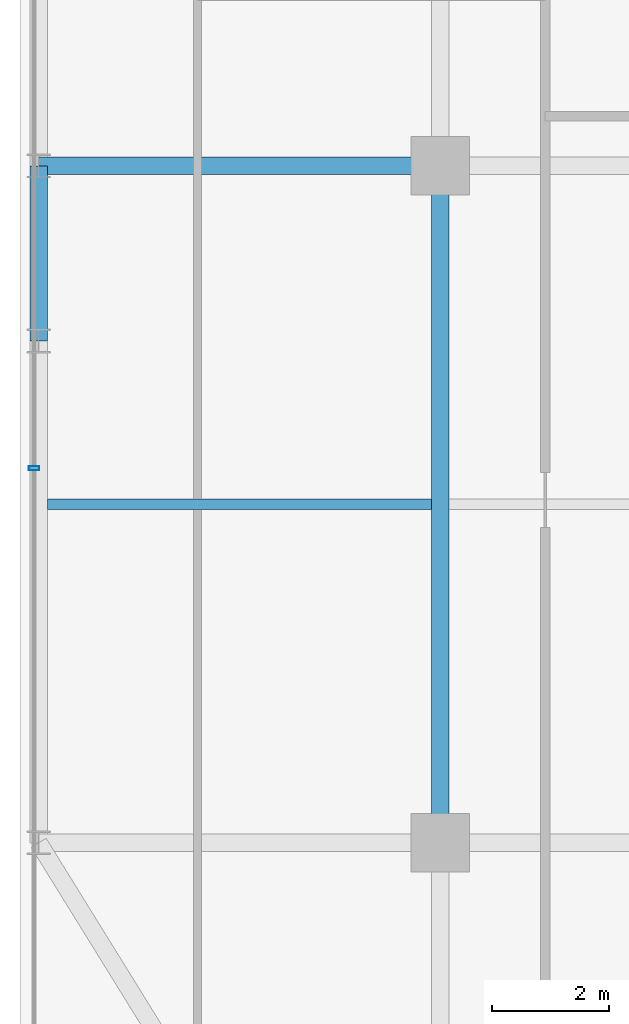
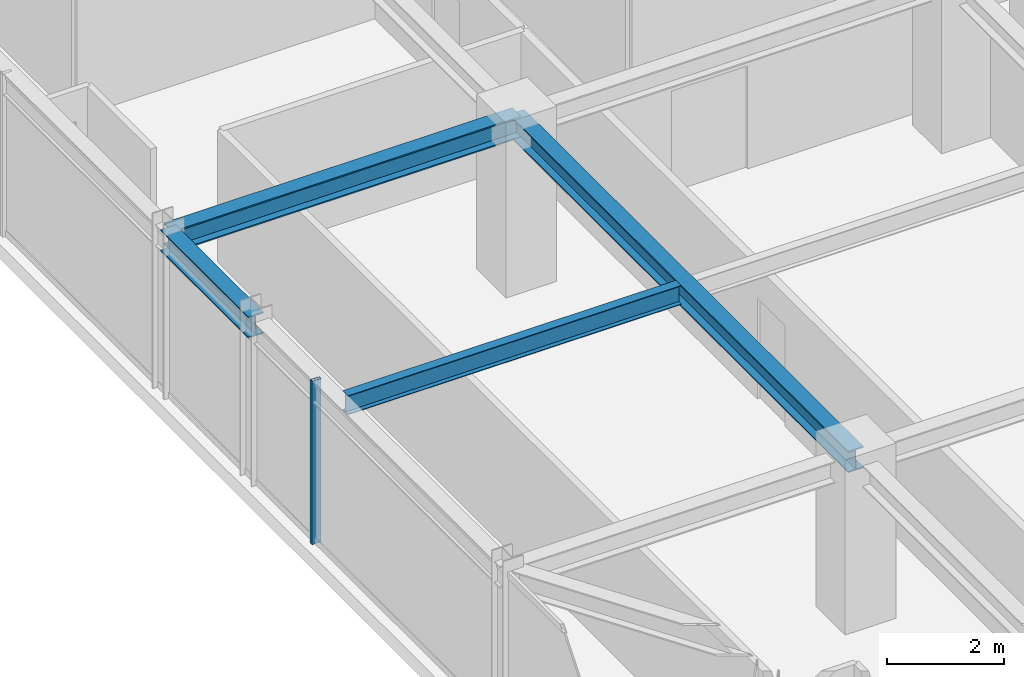
# One storey, part 8 of 34: 4 beams, 1 member, 1 element without a shape of its own.
"""IFC4 building model written with IfcOpenShell, lengths in metres."""

from ifc_helpers import new_model, si_unit, direction, frame, origin, origin_2d, place, context, subcontext, project, spatial, hollow_rectangle, i_section, extrude, source, transform, mapped, material, material_profile, profile_set, type_object, element, aggregate, save


model = new_model("IFC4")

# Units and contexts
model_context = context("Model", 3, precision=1e-05, world=origin(), true_north=direction((0.0, 1.0)))
body_context = subcontext(model_context, "Body", "Model", "MODEL_VIEW")
ifc_project = project(units=[si_unit("LENGTHUNIT", "METRE"), si_unit("AREAUNIT", "SQUARE_METRE"), si_unit("VOLUMEUNIT", "CUBIC_METRE"), si_unit("PLANEANGLEUNIT", "RADIAN"), si_unit("MASSUNIT", "GRAM", prefix="KILO")], contexts=[model_context])

# Site, building, storey
site_placement = place(None, origin())
site = spatial("IfcSite", under=ifc_project, at=site_placement, CompositionType="ELEMENT")
building_placement = place(site_placement, origin())
building = spatial("IfcBuilding", under=site, at=building_placement, Name="Nahalor Promenade Grand Hotel", CompositionType="ELEMENT")
storey_placement = place(building_placement, frame((0.0, 0.0, 238.199951171875)))
storey = spatial("IfcBuildingStorey", under=building, at=storey_placement, Name="L61", CompositionType="ELEMENT", Elevation=238.199951171875)

# Beams
ifc_material_1 = material(Name="Steel S355JR", Category="steel")
ifc_material_profile_1 = material_profile(ifc_material_1, i_section(OverallWidth=0.3, OverallDepth=0.45, WebThickness=0.014, FlangeThickness=0.026, at=origin_2d()), Name="HEB 450")
ifc_profile_set_1 = profile_set([ifc_material_profile_1], Name="Steel S355JR")
beam_type_1 = type_object("IfcBeamType", Name="Beam-Spandrel-HEB450", PredefinedType="SPANDREL", material=ifc_profile_set_1)
shared_shape_1 = source(origin(), body_context, "Body", "SweptSolid", [
    extrude(i_section(OverallWidth=0.3, OverallDepth=0.45, WebThickness=0.014, FlangeThickness=0.026, at=origin_2d()), origin(), (0.0, 0.0, 1.0), 3.0),
])
beam_1_placement = place(storey_placement, frame((-23.8798828125, -8.39990234375, 3.18505859375), z_axis=(0.0, 1.0, 0.0), x_axis=(-1.0, 0.0, 0.0)))
element("IfcBeam", 1, at=beam_1_placement, inside=storey, type_object=beam_type_1, Name="BM-L61-SP-W-1", PredefinedType="SPANDREL", context=body_context, shape_type="MappedRepresentation", body=[
    mapped(shared_shape_1, transform((0.0, 0.0, 0.0), scale=1.0)),
])
ifc_material_profile_2 = material_profile(ifc_material_1, i_section(OverallWidth=0.3, OverallDepth=0.45, WebThickness=0.014, FlangeThickness=0.026, at=origin_2d()), Name="HEB 450")
ifc_profile_set_2 = profile_set([ifc_material_profile_2], Name="Steel S355JR")
beam_type_2 = type_object("IfcBeamType", Name="Beam-Girder-HEB450", PredefinedType="BEAM", material=ifc_profile_set_2)
shared_shape_2 = source(origin(), body_context, "Body", "SweptSolid", [
    extrude(i_section(OverallWidth=0.3, OverallDepth=0.45, WebThickness=0.014, FlangeThickness=0.026, at=origin_2d()), origin(), (0.0, 0.0, 1.0), 6.8798828125),
])
beam_2_placement = place(storey_placement, frame((-23.8798828125, -5.39990234375, 3.18505859375), z_axis=(1.0, 0.0, 0.0), x_axis=(0.0, 1.0, 0.0)))
element("IfcBeam", 2, at=beam_2_placement, inside=storey, type_object=beam_type_2, Name="BM-L61-GX-1-0", PredefinedType="BEAM", context=body_context, shape_type="MappedRepresentation", body=[
    mapped(shared_shape_2, transform((0.0, 0.0, 0.0), scale=1.0)),
])
shared_shape_3 = source(origin(), body_context, "Body", "SweptSolid", [
    extrude(i_section(OverallWidth=0.3, OverallDepth=0.45, WebThickness=0.014, FlangeThickness=0.026, at=origin_2d()), origin(), (0.0, 0.0, 1.0), 11.60009765625),
])
beam_3_placement = place(storey_placement, frame((-17.0, -17.0, 3.18505859375), z_axis=(0.0, 1.0, 0.0), x_axis=(-1.0, 0.0, 0.0)))
element("IfcBeam", 3, at=beam_3_placement, inside=storey, type_object=beam_type_2, Name="BM-L61-GY-0-1", PredefinedType="BEAM", context=body_context, shape_type="MappedRepresentation", body=[
    mapped(shared_shape_3, transform((0.0, 0.0, 0.0), scale=1.0)),
])
ifc_material_profile_3 = material_profile(ifc_material_1, i_section(OverallWidth=0.18, OverallDepth=0.4, WebThickness=0.0086, FlangeThickness=0.0135, at=origin_2d()), Name="IPE 400")
ifc_profile_set_3 = profile_set([ifc_material_profile_3], Name="Steel S355JR")
beam_type_3 = type_object("IfcBeamType", Name="Beam-Joist-IPE400", PredefinedType="JOIST", material=ifc_profile_set_3)
shared_shape_4 = source(origin(), body_context, "Body", "SweptSolid", [
    extrude(i_section(OverallWidth=0.18, OverallDepth=0.4, WebThickness=0.0086, FlangeThickness=0.0135, at=origin_2d()), origin(), (0.0, 0.0, 1.0), 6.580078125),
])
beam_4_placement = place(storey_placement, frame((-23.72998046875, -11.199951171875, 3.2099609375), z_axis=(1.0, 0.0, 0.0), x_axis=(0.0, 1.0, 0.0)))
element("IfcBeam", 4, at=beam_4_placement, inside=storey, type_object=beam_type_3, Name="BM-L61-JSW-0-0", PredefinedType="JOIST", context=body_context, shape_type="MappedRepresentation", body=[
    mapped(shared_shape_4, transform((0.0, 0.0, 0.0), scale=1.0)),
])

# Curtain wall, member
ifc_material_2 = material(Name="Anodised Bronze Aluminium EN AW-6063 T6", Category="aluminium")
curtain_wall_type = type_object("IfcCurtainWallType", Name="CW2 Typical Hotel Flush Bronze Unitised Curtain Wall", PredefinedType="USERDEFINED", material=ifc_material_2)
curtain_wall_placement = place(storey_placement, origin())
curtain_wall = element("IfcCurtainWall", 5, at=curtain_wall_placement, inside=storey, type_object=curtain_wall_type, Name="L61 Curtain Wall CW-L61-W-1", ObjectType="UNITISED_CURTAIN_WALL", PredefinedType="USERDEFINED")
ifc_material_profile_4 = material_profile(ifc_material_2, hollow_rectangle(XDim=0.065, YDim=0.18, WallThickness=0.004, at=origin_2d()), Name="CWM 65x180x4")
ifc_profile_set_4 = profile_set([ifc_material_profile_4], Name="Anodised Bronze Aluminium EN AW-6063 T6")
member_type = type_object("IfcMemberType", Name="CWM2 Typical Bronze Mullion 65x180", PredefinedType="MULLION", material=ifc_profile_set_4)
shared_shape_5 = source(origin(), body_context, "Body", "SweptSolid", [
    extrude(hollow_rectangle(XDim=0.065, YDim=0.18, WallThickness=0.004, at=origin_2d()), origin(), (0.0, 0.0, 1.0), 3.41015625),
])
member_placement = place(storey_placement, frame((-23.9599609375, -10.580078125, 0.0), z_axis=(0.0, 0.0, 1.0), x_axis=(0.0, 1.0, 0.0)))
member = element("IfcMember", 6, at=member_placement, type_object=member_type, Name="CW-L61-W-1 Mullion 1", PredefinedType="MULLION", context=body_context, shape_type="MappedRepresentation", body=[
    mapped(shared_shape_5, transform((0.0, 0.0, 0.0), scale=1.0)),
])
aggregate(curtain_wall, [member])

save(model, "model.ifc")
